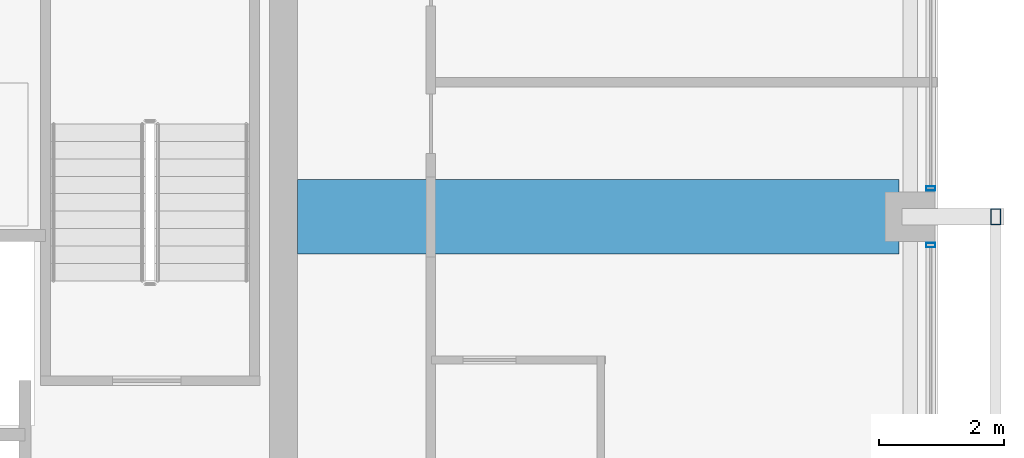
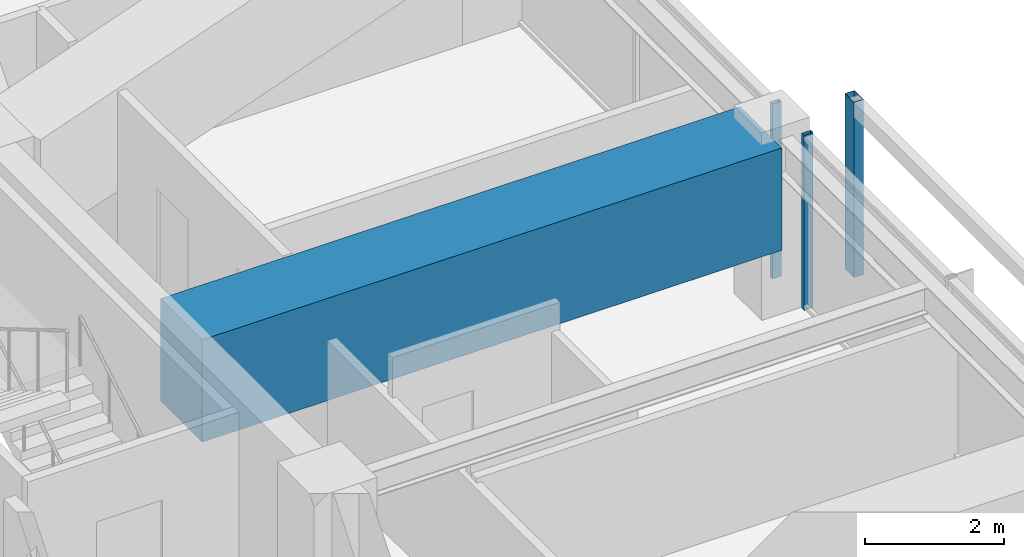
# One storey, part 15 of 37: 3 members, 1 beam, 2 elements without a shape of their own.
"""IFC4 building model written with IfcOpenShell, lengths in metres."""

from ifc_helpers import new_model, si_unit, direction, frame, origin, origin_2d, place, context, subcontext, project, spatial, rectangle, hollow_rectangle, extrude, material, material_profile, profile_set, type_object, element, aggregate, save


model = new_model("IFC4")

# Units and contexts
model_context = context("Model", 3, precision=1e-05, world=origin(), true_north=direction((0.0, 1.0)))
body_context = subcontext(model_context, "Body", "Model", "MODEL_VIEW")
ifc_project = project(units=[si_unit("LENGTHUNIT", "METRE"), si_unit("AREAUNIT", "SQUARE_METRE"), si_unit("VOLUMEUNIT", "CUBIC_METRE"), si_unit("PLANEANGLEUNIT", "RADIAN"), si_unit("MASSUNIT", "GRAM", prefix="KILO")], contexts=[model_context])

# Site, building, storey
site_placement = place(None, origin())
site = spatial("IfcSite", under=ifc_project, at=site_placement, CompositionType="ELEMENT")
building_placement = place(site_placement, origin())
building = spatial("IfcBuilding", under=site, at=building_placement, Name="Kolvaren Belvedere", CompositionType="ELEMENT")
storey_placement = place(building_placement, frame((0.0, 0.0, 219.60009765625)))
storey = spatial("IfcBuildingStorey", under=building, at=storey_placement, Name="L64", CompositionType="ELEMENT", Elevation=219.60009765625)

# Beam
ifc_material_1 = material(Name="Concrete C50/60", Category="concrete")
ifc_material_profile_1 = material_profile(ifc_material_1, rectangle(XDim=1.199951171875, YDim=1.800048828125, at=origin_2d()), Name="RC 1200X1800")
ifc_profile_set_1 = profile_set([ifc_material_profile_1], Name="Concrete C50/60")
beam_type = type_object("IfcBeamType", Name="BM-TG-1800", PredefinedType="BEAM", material=ifc_profile_set_1)
beam_placement = place(storey_placement, frame((10.125, 4.60009765625, 2.179931640625), z_axis=(1.0, 0.0, 0.0), x_axis=(0.0, 1.0, 0.0)))
element("IfcBeam", 1, at=beam_placement, inside=storey, type_object=beam_type, Name="L64 East Radial Girder P", PredefinedType="BEAM", context=body_context, shape_type="SweptSolid", body=[
    extrude(rectangle(XDim=1.199951171875, YDim=1.800048828125, at=origin_2d()), origin(), (0.0, 0.0, 1.0), 9.64501953125),
])

# Curtain wall, member
ifc_material_2 = material(Name="Anodised pale-metal aluminium AA 6063-T6", Category="aluminium")
curtain_wall_type = type_object("IfcCurtainWallType", Name="CW-Z5-HIGH", PredefinedType="NOTDEFINED", material=ifc_material_2)
curtain_wall_1_placement = place(storey_placement, origin())
curtain_wall_1 = element("IfcCurtainWall", 2, at=curtain_wall_1_placement, inside=storey, type_object=curtain_wall_type, Name="L64 Unitised Curtain Wall FCW-L64-E-B1", PredefinedType="NOTDEFINED")
ifc_material_3 = material(Name="Anodised pale-metal aluminium AA 6063-T6", Category="aluminium")
ifc_material_profile_2 = material_profile(ifc_material_3, hollow_rectangle(XDim=0.070068359375, YDim=0.14990234375, WallThickness=0.004150390625, at=origin_2d()), Name="ALU-MUL-150X70")
ifc_profile_set_2 = profile_set([ifc_material_profile_2], Name="Anodised pale-metal aluminium AA 6063-T6")
member_type_1 = type_object("IfcMemberType", Name="CW-MUL-150", PredefinedType="MULLION", material=ifc_profile_set_2)
member_1_placement = place(storey_placement, frame((20.280029296875, 5.054931640625, 0.0), z_axis=(0.0, 0.0, 1.0), x_axis=(0.0, 1.0, 0.0)))
member_1 = element("IfcMember", 3, at=member_1_placement, type_object=member_type_1, Name="FCW-L64-E-B1 Unitised Mullion 3", PredefinedType="MULLION", context=body_context, shape_type="SweptSolid", body=[
    extrude(hollow_rectangle(XDim=0.070068359375, YDim=0.14990234375, WallThickness=0.004150390625, at=origin_2d()), origin(), (0.0, 0.0, 1.0), 3.079833984375),
])
aggregate(curtain_wall_1, [member_1])

curtain_wall_2_placement = place(storey_placement, origin())
curtain_wall_2 = element("IfcCurtainWall", 4, at=curtain_wall_2_placement, inside=storey, type_object=curtain_wall_type, Name="L64 Unitised Curtain Wall FCW-L64-E-B2", PredefinedType="NOTDEFINED")
member_2_placement = place(storey_placement, frame((20.280029296875, 4.14501953125, 0.0), z_axis=(0.0, 0.0, 1.0), x_axis=(0.0, 1.0, 0.0)))
member_2 = element("IfcMember", 5, at=member_2_placement, type_object=member_type_1, Name="FCW-L64-E-B2 Unitised Mullion 1", PredefinedType="MULLION", context=body_context, shape_type="SweptSolid", body=[
    extrude(hollow_rectangle(XDim=0.070068359375, YDim=0.14990234375, WallThickness=0.004150390625, at=origin_2d()), origin(), (0.0, 0.0, 1.0), 3.079833984375),
])
aggregate(curtain_wall_2, [member_2])

# Member
ifc_material_4 = material(Name="Anodised pale-metal aluminium AA 6063-T6", Category="aluminium")
ifc_material_profile_3 = material_profile(ifc_material_4, hollow_rectangle(XDim=0.159912109375, YDim=0.260009765625, WallThickness=0.006591796875, at=origin_2d()), Name="ALU-PF-260X160")
ifc_profile_set_3 = profile_set([ifc_material_profile_3], Name="Anodised pale-metal aluminium AA 6063-T6")
member_type_2 = type_object("IfcMemberType", Name="PF-FRAME-260", PredefinedType="USERDEFINED", material=ifc_profile_set_3)
member_3_placement = place(storey_placement, frame((21.320068359375, 4.60009765625, 0.0), z_axis=(0.0, 0.0, 1.0), x_axis=(1.0, 0.0, 0.0)))
element("IfcMember", 6, at=member_3_placement, inside=storey, type_object=member_type_2, Name="L64 Outboard Picture-Frame Vertical E1", ObjectType="PICTURE FRAME FIN", PredefinedType="USERDEFINED", context=body_context, shape_type="SweptSolid", body=[
    extrude(hollow_rectangle(XDim=0.159912109375, YDim=0.260009765625, WallThickness=0.006591796875, at=origin_2d()), origin(), (0.0, 0.0, 1.0), 3.079833984375),
])

save(model, "model.ifc")
